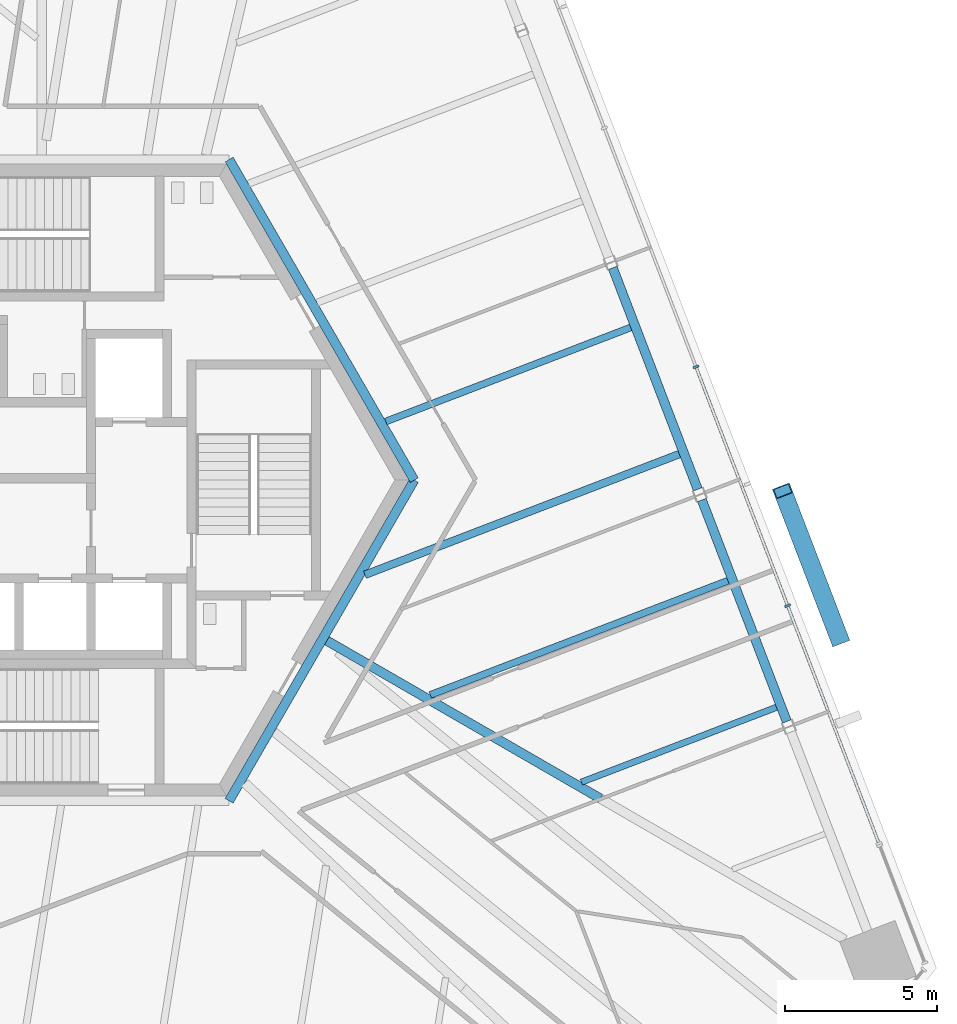
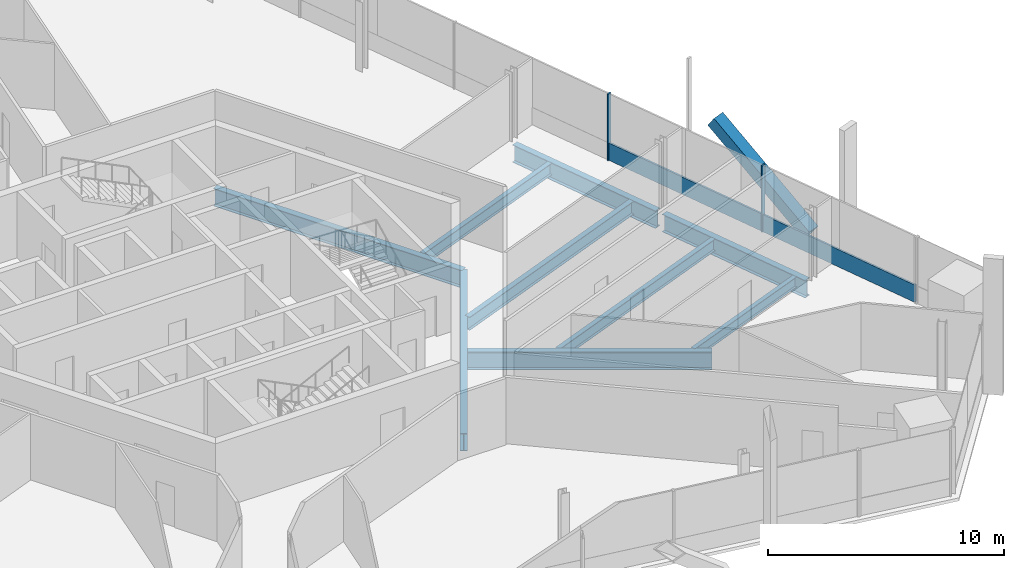
# One storey, part 7 of 21: 9 beams, 5 members, 1 element without a shape of its own.
"""IFC4 building model written with IfcOpenShell, lengths in metres."""

from ifc_helpers import new_model, si_unit, direction, frame, origin, origin_2d, place, context, subcontext, project, spatial, rectangle, hollow_rectangle, i_section, extrude, source, transform, mapped, material, material_profile, profile_set, type_object, element, aggregate, save


model = new_model("IFC4")

# Units and contexts
model_context = context("Model", 3, precision=1e-05, world=origin(), true_north=direction((0.0, 1.0)))
body_context = subcontext(model_context, "Body", "Model", "MODEL_VIEW")
ifc_project = project(units=[si_unit("LENGTHUNIT", "METRE"), si_unit("AREAUNIT", "SQUARE_METRE"), si_unit("VOLUMEUNIT", "CUBIC_METRE"), si_unit("PLANEANGLEUNIT", "RADIAN"), si_unit("MASSUNIT", "GRAM", prefix="KILO")], contexts=[model_context])

# Site, building, storey
site_placement = place(None, origin())
site = spatial("IfcSite", under=ifc_project, at=site_placement, CompositionType="ELEMENT")
building_placement = place(site_placement, origin())
building = spatial("IfcBuilding", under=site, at=building_placement, Name="Triune Harvest Tower", CompositionType="ELEMENT")
storey_placement = place(building_placement, frame((0.0, 0.0, 146.10009765625)))
storey = spatial("IfcBuildingStorey", under=building, at=storey_placement, Name="L37", CompositionType="ELEMENT", Elevation=146.10009765625)

# Beams
ifc_material_1 = material(Name="Steel ASTM A992 Gr 50", Category="steel")
ifc_material_profile_1 = material_profile(ifc_material_1, i_section(OverallWidth=0.3046875, OverallDepth=0.914306640625, WebThickness=0.0166015625, FlangeThickness=0.02587890625, at=origin_2d()), Name="W36x160")
ifc_profile_set_1 = profile_set([ifc_material_profile_1], Name="Steel ASTM A992 Gr 50")
beam_type_1 = type_object("IfcBeamType", Name="CG-1 Core ring girder W36x160", PredefinedType="BEAM", material=ifc_profile_set_1)
shared_shape_1 = source(origin(), body_context, "Body", "SweptSolid", [
    extrude(i_section(OverallWidth=0.3046875, OverallDepth=0.914306640625, WebThickness=0.0166015625, FlangeThickness=0.02587890625, at=origin_2d()), origin(), (0.0, 0.0, 1.0), 12.176025390625),
])
for number, where, z_axis, x_axis, name in (
    (1, (12.176025390625, 0.0, -0.6171875), (-0.5000099932, 0.866019634131, 0.0), (-0.866019634131, -0.5000099932, 0.0), "beam/L37/CG1"),
    (2, (6.087890625, -10.544677734375, -0.6171875), (0.5000099932, 0.866019634131, 0.0), (-0.866019634131, 0.5000099932, 0.0), "beam/L37/CG6"),
):
    element("IfcBeam", number, at=place(storey_placement, frame(where, z_axis=z_axis, x_axis=x_axis)), inside=storey, type_object=beam_type_1, Name=name, PredefinedType="BEAM", context=body_context, shape_type="MappedRepresentation", body=[
        mapped(shared_shape_1, transform((0.0, 0.0, 0.0), scale=1.0)),
    ])
ifc_material_2 = material(Name="Steel ASTM A992 Gr 50", Category="steel")
ifc_material_profile_2 = material_profile(ifc_material_2, i_section(OverallWidth=0.307373046875, OverallDepth=0.922119140625, WebThickness=0.018310546875, FlangeThickness=0.030029296875, at=origin_2d()), Name="W36x182")
ifc_profile_set_2 = profile_set([ifc_material_profile_2], Name="Steel ASTM A992 Gr 50")
beam_type_2 = type_object("IfcBeamType", Name="HG-2 Hip girder W36x182", PredefinedType="BEAM", material=ifc_profile_set_2)
shared_shape_2 = source(origin(), body_context, "Body", "SweptSolid", [
    extrude(i_section(OverallWidth=0.307373046875, OverallDepth=0.922119140625, WebThickness=0.018310546875, FlangeThickness=0.030029296875, at=origin_2d()), origin(), (0.0, 0.0, 1.0), 10.38623046875),
])
beam_1_placement = place(storey_placement, frame((18.29833984375, -10.47314453125, -0.62109375), z_axis=(-0.866022743272, 0.500004608114, 0.0), x_axis=(-0.500004608114, -0.866022743272, 0.0)))
element("IfcBeam", 3, at=beam_1_placement, inside=storey, type_object=beam_type_2, Name="beam/L37/HG2", PredefinedType="BEAM", context=body_context, shape_type="MappedRepresentation", body=[
    mapped(shared_shape_2, transform((0.0, 0.0, 0.0), scale=1.0)),
])
ifc_material_3 = material(Name="Steel ASTM A992 Gr 50", Category="steel")
ifc_material_profile_3 = material_profile(ifc_material_3, i_section(OverallWidth=0.3046875, OverallDepth=0.914306640625, WebThickness=0.0166015625, FlangeThickness=0.02587890625, at=origin_2d()), Name="W36x160")
ifc_profile_set_3 = profile_set([ifc_material_profile_3], Name="Steel ASTM A992 Gr 50")
beam_type_3 = type_object("IfcBeamType", Name="SB-1 Spandrel beam W36x160", PredefinedType="SPANDREL", material=ifc_profile_set_3)
shared_shape_3 = source(origin(), body_context, "Body", "SweptSolid", [
    extrude(i_section(OverallWidth=0.3046875, OverallDepth=0.914306640625, WebThickness=0.0166015625, FlangeThickness=0.02587890625, at=origin_2d()), origin(), (0.0, 0.0, 1.0), 7.8017578125),
])
for number, where, z_axis, x_axis, name in (
    (4, (24.428466796875, -7.93603515625, -0.6171875), (-0.358372974677, 0.933578497514, 0.0), (-0.933578497514, -0.358372974677, 0.0), "beam/L37/SB2"),
    (5, (21.498779296875, -0.303955078125, -0.6171875), (-0.358372974677, 0.933578497514, 0.0), (-0.933578497514, -0.358372974677, 0.0), "beam/L37/SB3"),
):
    element("IfcBeam", number, at=place(storey_placement, frame(where, z_axis=z_axis, x_axis=x_axis)), inside=storey, type_object=beam_type_3, Name=name, PredefinedType="SPANDREL", context=body_context, shape_type="MappedRepresentation", body=[
        mapped(shared_shape_3, transform((0.0, 0.0, 0.0), scale=1.0)),
    ])
ifc_material_4 = material(Name="Steel ASTM A992 Gr 50", Category="steel")
ifc_material_profile_4 = material_profile(ifc_material_4, i_section(OverallWidth=0.2099609375, OverallDepth=0.535888671875, WebThickness=0.010986328125, FlangeThickness=0.017333984375, at=origin_2d()), Name="W21x68")
ifc_profile_set_4 = profile_set([ifc_material_profile_4], Name="Steel ASTM A992 Gr 50")
beam_type_4 = type_object("IfcBeamType", Name="JT-2 Floor joist W21x68", PredefinedType="JOIST", material=ifc_profile_set_4)
shared_shape_4 = source(origin(), body_context, "Body", "SweptSolid", [
    extrude(i_section(OverallWidth=0.2099609375, OverallDepth=0.535888671875, WebThickness=0.010986328125, FlangeThickness=0.017333984375, at=origin_2d()), origin(), (0.0, 0.0, 1.0), 6.871826171875),
])
beam_2_placement = place(storey_placement, frame((24.086669921875, -7.47119140625, -0.427978515625), z_axis=(-0.933577992689, -0.358374289769, 0.0), x_axis=(0.358374289769, -0.933577992689, 0.0)))
element("IfcBeam", 6, at=beam_2_placement, inside=storey, type_object=beam_type_4, Name="beam/L37/JT2", PredefinedType="JOIST", context=body_context, shape_type="MappedRepresentation", body=[
    mapped(shared_shape_4, transform((0.0, 0.0, 0.0), scale=1.0)),
])
ifc_material_5 = material(Name="Steel ASTM A992 Gr 50", Category="steel")
ifc_material_profile_5 = material_profile(ifc_material_5, i_section(OverallWidth=0.22900390625, OverallDepth=0.612060546875, WebThickness=0.011962890625, FlangeThickness=0.01953125, at=origin_2d()), Name="W24x84")
ifc_profile_set_5 = profile_set([ifc_material_profile_5], Name="Steel ASTM A992 Gr 50")
beam_type_5 = type_object("IfcBeamType", Name="JT-3 Floor joist W24x84", PredefinedType="JOIST", material=ifc_profile_set_5)
shared_shape_5 = source(origin(), body_context, "Body", "SweptSolid", [
    extrude(i_section(OverallWidth=0.22900390625, OverallDepth=0.612060546875, WebThickness=0.011962890625, FlangeThickness=0.01953125, at=origin_2d()), origin(), (0.0, 0.0, 1.0), 10.482666015625),
])
beam_3_placement = place(storey_placement, frame((22.48876953125, -3.30810546875, -0.46630859375), z_axis=(-0.933574113636, -0.358384394677, 0.0), x_axis=(0.358384394677, -0.933574113636, 0.0)))
element("IfcBeam", 7, at=beam_3_placement, inside=storey, type_object=beam_type_5, Name="beam/L37/JT3", PredefinedType="JOIST", context=body_context, shape_type="MappedRepresentation", body=[
    mapped(shared_shape_5, transform((0.0, 0.0, 0.0), scale=1.0)),
])
ifc_material_6 = material(Name="Steel ASTM A992 Gr 50", Category="steel")
ifc_material_profile_6 = material_profile(ifc_material_6, i_section(OverallWidth=0.253662109375, OverallDepth=0.683349609375, WebThickness=0.012451171875, FlangeThickness=0.01904296875, at=origin_2d()), Name="W27x94")
ifc_profile_set_6 = profile_set([ifc_material_profile_6], Name="Steel ASTM A992 Gr 50")
beam_type_6 = type_object("IfcBeamType", Name="JT-4 Floor joist W27x94", PredefinedType="JOIST", material=ifc_profile_set_6)
shared_shape_6 = source(origin(), body_context, "Body", "SweptSolid", [
    extrude(i_section(OverallWidth=0.253662109375, OverallDepth=0.683349609375, WebThickness=0.012451171875, FlangeThickness=0.01904296875, at=origin_2d()), origin(), (0.0, 0.0, 1.0), 11.071533203125),
])
beam_4_placement = place(storey_placement, frame((20.890869140625, 0.854736328125, -0.501708984375), z_axis=(-0.933585234032, -0.358355425237, 0.0), x_axis=(0.358355425237, -0.933585234032, 0.0)))
element("IfcBeam", 8, at=beam_4_placement, inside=storey, type_object=beam_type_6, Name="beam/L37/JT4", PredefinedType="JOIST", context=body_context, shape_type="MappedRepresentation", body=[
    mapped(shared_shape_6, transform((0.0, 0.0, 0.0), scale=1.0)),
])
shared_shape_7 = source(origin(), body_context, "Body", "SweptSolid", [
    extrude(i_section(OverallWidth=0.22900390625, OverallDepth=0.612060546875, WebThickness=0.011962890625, FlangeThickness=0.01953125, at=origin_2d()), origin(), (0.0, 0.0, 1.0), 8.625732421875),
])
beam_5_placement = place(storey_placement, frame((19.292724609375, 5.017578125, -0.46630859375), z_axis=(-0.933587577512, -0.35834931996, 0.0), x_axis=(0.35834931996, -0.933587577512, 0.0)))
element("IfcBeam", 9, at=beam_5_placement, inside=storey, type_object=beam_type_5, Name="beam/L37/JT5", PredefinedType="JOIST", context=body_context, shape_type="MappedRepresentation", body=[
    mapped(shared_shape_7, transform((0.0, 0.0, 0.0), scale=1.0)),
])

# Member
ifc_material_7 = material(Name="Steel ASTM A572 Gr 50", Category="steel")
ifc_material_profile_7 = material_profile(ifc_material_7, hollow_rectangle(XDim=0.60009765625, YDim=0.60009765625, WallThickness=0.0400390625, at=origin_2d()), Name="Box 600x600x40")
ifc_profile_set_7 = profile_set([ifc_material_profile_7], Name="Steel ASTM A572 Gr 50")
member_type_1 = type_object("IfcMemberType", Name="BR-2 Brace Box 600x600x40", PredefinedType="BRACE", material=ifc_profile_set_7)
shared_shape_8 = source(origin(), body_context, "Body", "SweptSolid", [
    extrude(hollow_rectangle(XDim=0.60009765625, YDim=0.60009765625, WallThickness=0.0400390625, at=origin_2d()), origin(), (0.0, 0.0, 1.0), 6.3291015625),
])
member_1_placement = place(storey_placement, frame((26.157470703125, -5.216552734375, 0.0), z_axis=(-0.294782507691, 0.767854043196, 0.568773629405), x_axis=(-0.933567833829, -0.358400752844, 0.0)))
element("IfcMember", 10, at=member_1_placement, inside=storey, type_object=member_type_1, Name="brace/B4-F1/d1/3", PredefinedType="BRACE", context=body_context, shape_type="MappedRepresentation", body=[
    mapped(shared_shape_8, transform((0.0, 0.0, 0.0), scale=1.0)),
])

# Curtain wall, members
ifc_material_8 = material(Name="Aluminium bronze anodised", Category="aluminium")
curtain_wall_type = type_object("IfcCurtainWallType", Name="CW-7 Tower stick curtain wall with insulated spandrel infill", PredefinedType="NOTDEFINED", material=ifc_material_8)
curtain_wall_placement = place(storey_placement, origin())
curtain_wall = element("IfcCurtainWall", 11, at=curtain_wall_placement, inside=storey, type_object=curtain_wall_type, Name="CW-7 B4-F1 L37 run 1001")
ifc_material_9 = material(Name="Aluminium bronze anodised", Category="aluminium")
ifc_material_profile_8 = material_profile(ifc_material_9, rectangle(XDim=0.199951171875, YDim=0.074951171875, at=origin_2d()), Name="MU-1 mullion 75 x 200")
ifc_profile_set_8 = profile_set([ifc_material_profile_8], Name="Aluminium bronze anodised")
member_type_2 = type_object("IfcMemberType", Name="MU-1 mullion 75 x 200", PredefinedType="MULLION", material=ifc_profile_set_8)
shared_shape_9 = source(origin(), body_context, "Body", "SweptSolid", [
    extrude(rectangle(XDim=0.199951171875, YDim=0.074951171875, at=origin_2d()), origin(), (0.0, 0.0, 1.0), 3.43994140625),
])
member_2_placement = place(storey_placement, frame((24.45458984375, -4.12890625, 0.0), z_axis=(0.0, 0.0, 1.0), x_axis=(-0.933579785245, -0.35836962006, 0.0)))
member_2 = element("IfcMember", 12, at=member_2_placement, type_object=member_type_2, Name="CW-7 mullion B4-F1 1001.3", PredefinedType="MULLION", context=body_context, shape_type="MappedRepresentation", body=[
    mapped(shared_shape_9, transform((0.0, 0.0, 0.0), scale=1.0)),
])
member_3_placement = place(storey_placement, frame((21.43994140625, 3.724609375, 0.0), z_axis=(0.0, 0.0, 1.0), x_axis=(-0.933579785245, -0.35836962006, 0.0)))
member_3 = element("IfcMember", 13, at=member_3_placement, type_object=member_type_2, Name="CW-7 mullion B4-F1 1001.5", PredefinedType="MULLION", context=body_context, shape_type="MappedRepresentation", body=[
    mapped(shared_shape_9, transform((0.0, 0.0, 0.0), scale=1.0)),
])
ifc_material_10 = material(Name="Aluminium bronze anodised", Category="aluminium")
ifc_material_profile_9 = material_profile(ifc_material_10, rectangle(XDim=0.090087890625, YDim=0.89990234375, at=origin_2d()), Name="TR-1 transom 90 x 900")
ifc_profile_set_9 = profile_set([ifc_material_profile_9], Name="Aluminium bronze anodised")
member_type_3 = type_object("IfcMemberType", Name="TR-1 transom 90 x 900", PredefinedType="USERDEFINED", material=ifc_profile_set_9)
shared_shape_10 = source(origin(), body_context, "Body", "SweptSolid", [
    extrude(rectangle(XDim=0.090087890625, YDim=0.89990234375, at=origin_2d()), origin(), (0.0, 0.0, 1.0), 8.337158203125),
])
member_4_placement = place(storey_placement, frame((24.441162109375, -4.09375, 0.449951171875), z_axis=(-0.358368733061, 0.933580125733, 0.0), x_axis=(-0.933580125733, -0.358368733061, 0.0)))
member_4 = element("IfcMember", 14, at=member_4_placement, type_object=member_type_3, Name="CW-7 transom B4-F1 1001.2", ObjectType="TRANSOM", PredefinedType="USERDEFINED", context=body_context, shape_type="MappedRepresentation", body=[
    mapped(shared_shape_10, transform((0.0, 0.0, 0.0), scale=1.0)),
])
shared_shape_11 = source(origin(), body_context, "Body", "SweptSolid", [
    extrude(rectangle(XDim=0.090087890625, YDim=0.89990234375, at=origin_2d()), origin(), (0.0, 0.0, 1.0), 8.2998046875),
])
member_5_placement = place(storey_placement, frame((27.4423828125, -11.912353515625, 0.449951171875), z_axis=(-0.35836598202, 0.933581181757, 0.0), x_axis=(-0.933581181757, -0.35836598202, 0.0)))
member_5 = element("IfcMember", 15, at=member_5_placement, type_object=member_type_3, Name="CW-7 transom B4-F1 1001.1", ObjectType="TRANSOM", PredefinedType="USERDEFINED", context=body_context, shape_type="MappedRepresentation", body=[
    mapped(shared_shape_11, transform((0.0, 0.0, 0.0), scale=1.0)),
])
aggregate(curtain_wall, [member_2, member_3, member_5, member_4])

save(model, "model.ifc")
